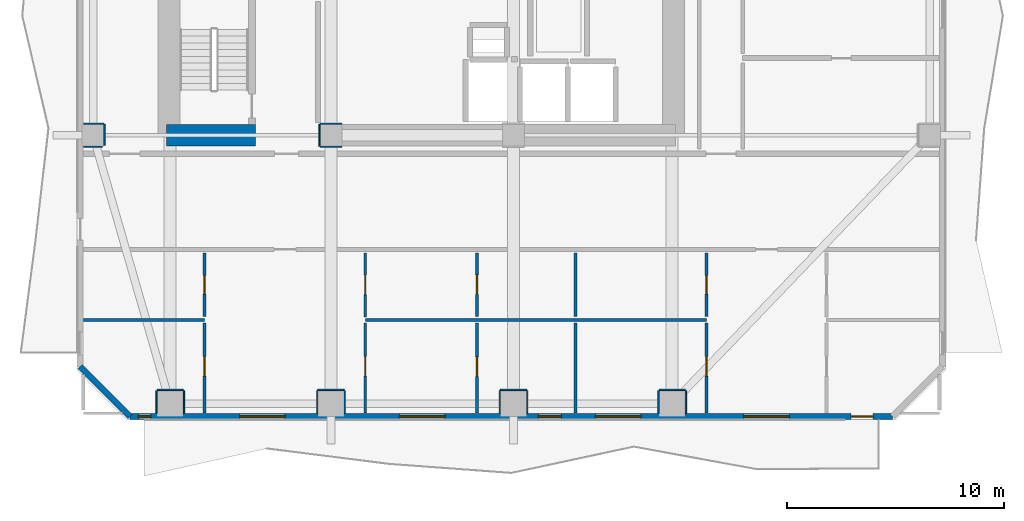
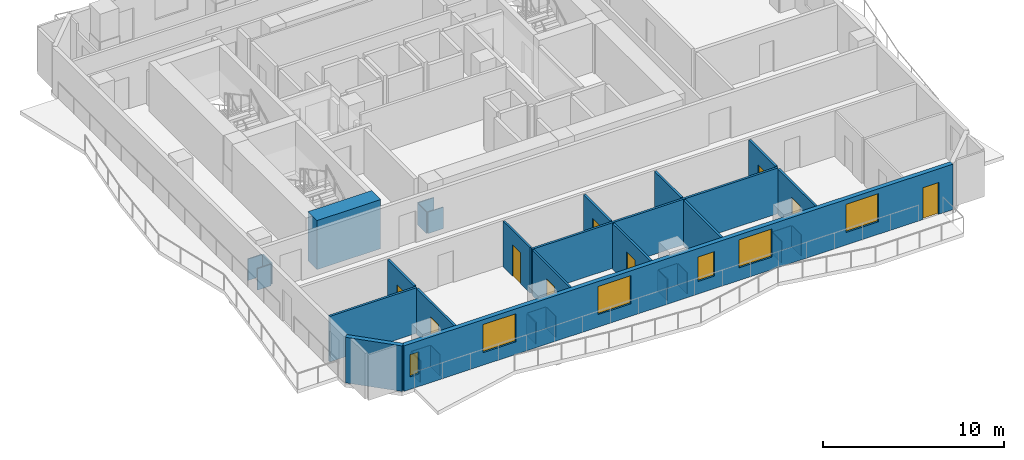
# One storey, part 2 of 9: 33 walls, 9 doors, 6 windows, 15 openings.
"""IFC4 building model written with IfcOpenShell, lengths in metres."""

from ifc_helpers import new_model, si_unit, direction, frame, frame_2d, origin, place, context, subcontext, project, spatial, rectangle, extrude, material, layer, layer_set, type_object, element, fill, save


model = new_model("IFC4")

# Units and contexts
model_context = context("Model", 3, precision=1e-05, world=origin(), true_north=direction((0.0, 1.0)))
body_context = subcontext(model_context, "Body", "Model", "MODEL_VIEW")
ifc_project = project(units=[si_unit("LENGTHUNIT", "METRE"), si_unit("AREAUNIT", "SQUARE_METRE"), si_unit("VOLUMEUNIT", "CUBIC_METRE"), si_unit("PLANEANGLEUNIT", "RADIAN"), si_unit("MASSUNIT", "GRAM", prefix="KILO")], contexts=[model_context])

# Site, building, storey
site_placement = place(None, origin())
site = spatial("IfcSite", under=ifc_project, at=site_placement, CompositionType="ELEMENT")
building_placement = place(site_placement, origin())
building = spatial("IfcBuilding", under=site, at=building_placement, Name="Solanera Arch Residences", CompositionType="ELEMENT")
storey_placement = place(building_placement, frame((0.0, 0.0, 132.639892578125)))
storey = spatial("IfcBuildingStorey", under=building, at=storey_placement, Name="L38", CompositionType="ELEMENT", Elevation=132.639892578125)

# Walls
ifc_material_1 = material(Name="Fire-Rated Gypsum Stud Partition", Category="gypsum")
ifc_layer_1 = layer(ifc_material_1, 0.06005859375)
ifc_layer_set_1 = layer_set([ifc_layer_1], Name="Fire-Rated Gypsum Stud Partition")
wall_type_1 = type_object("IfcWallType", Name="Column Acoustic Furring Wall 60", PredefinedType="PARTITIONING", material=ifc_layer_set_1)
for number, where, z_axis, x_axis, name in (
    (1, (20.300048828125, 21.468017578125, 0.0), (0.0, 0.0, 1.0), (1.0, 0.0, 0.0), "L38 Column Furring 1S"),
    (2, (20.300048828125, 22.531982421875, 0.0), (0.0, 0.0, 1.0), (1.0, 0.0, 0.0), "L38 Column Furring 1N"),
    (3, (20.26806640625, 21.5, 0.0), (0.0, 0.0, 1.0), (0.0, 1.0, 0.0), "L38 Column Furring 1W"),
):
    element("IfcWall", number, at=place(storey_placement, frame(where, z_axis=z_axis, x_axis=x_axis)), inside=storey, type_object=wall_type_1, Name=name, PredefinedType="PARTITIONING", context=body_context, shape_type="SweptSolid", body=[
        extrude(rectangle(XDim=1.0, YDim=0.06005859375, at=frame_2d((0.5, 0.0))), origin(), (0.0, 0.0, 1.0), 1.4501953125),
    ])
wall_1_placement = place(storey_placement, frame((12.800048828125, 10.281982421875, 0.0), z_axis=(0.0, 0.0, 1.0), x_axis=(1.0, 0.0, 0.0)))
element("IfcWall", 4, at=wall_1_placement, inside=storey, type_object=wall_type_1, Name="L38 Column Furring 9N", PredefinedType="PARTITIONING", context=body_context, shape_type="SweptSolid", body=[
    extrude(rectangle(XDim=1.199951171875, YDim=0.06005859375, at=frame_2d((0.60009765625, 0.0))), origin(), (0.0, 0.0, 1.0), 1.4501953125),
])
for number, where, z_axis, x_axis, name in (
    (5, (12.76806640625, 9.2099609375, 0.0), (0.0, 0.0, 1.0), (0.0, 1.0, 0.0), "L38 Column Furring 9W"),
    (6, (14.031982421875, 9.2099609375, 0.0), (0.0, 0.0, 1.0), (0.0, 1.0, 0.0), "L38 Column Furring 9E"),
):
    element("IfcWall", number, at=place(storey_placement, frame(where, z_axis=z_axis, x_axis=x_axis)), inside=storey, type_object=wall_type_1, Name=name, PredefinedType="PARTITIONING", context=body_context, shape_type="SweptSolid", body=[
        extrude(rectangle(XDim=1.0400390625, YDim=0.06005859375, at=frame_2d((0.52001953125, 0.0))), origin(), (0.0, 0.0, 1.0), 1.4501953125),
    ])
wall_2_placement = place(storey_placement, frame((20.199951171875, 10.281982421875, 0.0), z_axis=(0.0, 0.0, 1.0), x_axis=(1.0, 0.0, 0.0)))
element("IfcWall", 7, at=wall_2_placement, inside=storey, type_object=wall_type_1, Name="L38 Column Furring 11N", PredefinedType="PARTITIONING", context=body_context, shape_type="SweptSolid", body=[
    extrude(rectangle(XDim=1.199951171875, YDim=0.06005859375, at=frame_2d((0.60009765625, 0.0))), origin(), (0.0, 0.0, 1.0), 1.4501953125),
])
for number, where, z_axis, x_axis, name in (
    (8, (20.16796875, 9.2099609375, 0.0), (0.0, 0.0, 1.0), (0.0, 1.0, 0.0), "L38 Column Furring 11W"),
    (9, (21.431884765625, 9.2099609375, 0.0), (0.0, 0.0, 1.0), (0.0, 1.0, 0.0), "L38 Column Furring 11E"),
):
    element("IfcWall", number, at=place(storey_placement, frame(where, z_axis=z_axis, x_axis=x_axis)), inside=storey, type_object=wall_type_1, Name=name, PredefinedType="PARTITIONING", context=body_context, shape_type="SweptSolid", body=[
        extrude(rectangle(XDim=1.0400390625, YDim=0.06005859375, at=frame_2d((0.52001953125, 0.0))), origin(), (0.0, 0.0, 1.0), 1.4501953125),
    ])
wall_3_placement = place(storey_placement, frame((28.60009765625, 10.281982421875, 0.0), z_axis=(0.0, 0.0, 1.0), x_axis=(1.0, 0.0, 0.0)))
element("IfcWall", 10, at=wall_3_placement, inside=storey, type_object=wall_type_1, Name="L38 Column Furring 13N", PredefinedType="PARTITIONING", context=body_context, shape_type="SweptSolid", body=[
    extrude(rectangle(XDim=1.199951171875, YDim=0.06005859375, at=frame_2d((0.60009765625, 0.0))), origin(), (0.0, 0.0, 1.0), 1.4501953125),
])
for number, where, z_axis, x_axis, name in (
    (11, (28.568115234375, 9.2099609375, 0.0), (0.0, 0.0, 1.0), (0.0, 1.0, 0.0), "L38 Column Furring 13W"),
    (12, (29.83203125, 9.2099609375, 0.0), (0.0, 0.0, 1.0), (0.0, 1.0, 0.0), "L38 Column Furring 13E"),
):
    element("IfcWall", number, at=place(storey_placement, frame(where, z_axis=z_axis, x_axis=x_axis)), inside=storey, type_object=wall_type_1, Name=name, PredefinedType="PARTITIONING", context=body_context, shape_type="SweptSolid", body=[
        extrude(rectangle(XDim=1.0400390625, YDim=0.06005859375, at=frame_2d((0.52001953125, 0.0))), origin(), (0.0, 0.0, 1.0), 1.4501953125),
    ])
wall_4_placement = place(storey_placement, frame((35.89990234375, 10.281982421875, 0.0), z_axis=(0.0, 0.0, 1.0), x_axis=(1.0, 0.0, 0.0)))
element("IfcWall", 13, at=wall_4_placement, inside=storey, type_object=wall_type_1, Name="L38 Column Furring 15N", PredefinedType="PARTITIONING", context=body_context, shape_type="SweptSolid", body=[
    extrude(rectangle(XDim=1.2001953125, YDim=0.06005859375, at=frame_2d((0.60009765625, 0.0))), origin(), (0.0, 0.0, 1.0), 1.4501953125),
])
for number, where, z_axis, x_axis, name in (
    (14, (35.867919921875, 9.2099609375, 0.0), (0.0, 0.0, 1.0), (0.0, 1.0, 0.0), "L38 Column Furring 15W"),
    (15, (37.132080078125, 9.2099609375, 0.0), (0.0, 0.0, 1.0), (0.0, 1.0, 0.0), "L38 Column Furring 15E"),
):
    element("IfcWall", number, at=place(storey_placement, frame(where, z_axis=z_axis, x_axis=x_axis)), inside=storey, type_object=wall_type_1, Name=name, PredefinedType="PARTITIONING", context=body_context, shape_type="SweptSolid", body=[
        extrude(rectangle(XDim=1.0400390625, YDim=0.06005859375, at=frame_2d((0.52001953125, 0.0))), origin(), (0.0, 0.0, 1.0), 1.4501953125),
    ])
wall_5_placement = place(storey_placement, frame((9.409912109375, 21.468017578125, 0.0), z_axis=(0.0, 0.0, 1.0), x_axis=(1.0, 0.0, 0.0)))
element("IfcWall", 16, at=wall_5_placement, inside=storey, type_object=wall_type_1, Name="L38 Column Furring 17S", PredefinedType="PARTITIONING", context=body_context, shape_type="SweptSolid", body=[
    extrude(rectangle(XDim=0.87109375, YDim=0.06005859375, at=frame_2d((0.435546875, 0.0))), origin(), (0.0, 0.0, 1.0), 1.4501953125),
])
wall_6_placement = place(storey_placement, frame((9.409912109375, 22.531982421875, 0.0), z_axis=(0.0, 0.0, 1.0), x_axis=(1.0, 0.0, 0.0)))
element("IfcWall", 17, at=wall_6_placement, inside=storey, type_object=wall_type_1, Name="L38 Column Furring 17N", PredefinedType="PARTITIONING", context=body_context, shape_type="SweptSolid", body=[
    extrude(rectangle(XDim=0.940185546875, YDim=0.06005859375, at=frame_2d((0.47021484375, 0.0))), origin(), (0.0, 0.0, 1.0), 1.4501953125),
])
wall_7_placement = place(storey_placement, frame((10.382080078125, 21.5439453125, 0.0), z_axis=(0.0, 0.0, 1.0), x_axis=(0.0, 1.0, 0.0)))
element("IfcWall", 18, at=wall_7_placement, inside=storey, type_object=wall_type_1, Name="L38 Column Furring 17E", PredefinedType="PARTITIONING", context=body_context, shape_type="SweptSolid", body=[
    extrude(rectangle(XDim=0.9560546875, YDim=0.06005859375, at=frame_2d((0.47802734375, 0.0))), origin(), (0.0, 0.0, 1.0), 1.4501953125),
])
ifc_material_2 = material(Name="Concrete C55/67 (f'c = 60 MPa)", Category="concrete")
ifc_layer_2 = layer(ifc_material_2, 1.0)
ifc_layer_set_2 = layer_set([ifc_layer_2], Name="Concrete C55/67 (f'c = 60 MPa)")
wall_type_2 = type_object("IfcWallType", Name="Core Shear Wall CW-1000", PredefinedType="SHEAR", material=ifc_layer_set_2)
wall_8_placement = place(storey_placement, frame((13.239990234375, 22.0, 0.0), z_axis=(0.0, 0.0, 1.0), x_axis=(1.0, 0.0, 0.0)))
element("IfcWall", 19, at=wall_8_placement, inside=storey, type_object=wall_type_2, Name="L38 South-West Core Shear Wall", PredefinedType="SHEAR", context=body_context, shape_type="SweptSolid", body=[
    extrude(rectangle(XDim=4.080078125, YDim=1.0, at=frame_2d((2.0400390625, 0.0))), origin(), (0.0, 0.0, 1.0), 3.320068359375),
])

# Wall, openings, door, windows
ifc_material_3 = material(Name="Precast Concrete C35/45", Category="concrete")
ifc_layer_3 = layer(ifc_material_3, 0.280029296875)
ifc_layer_set_3 = layer_set([ifc_layer_3], Name="Precast Concrete C35/45")
wall_type_3 = type_object("IfcWallType", Name="Exterior Wall Precast Masonry-Frame 280", PredefinedType="STANDARD", material=ifc_layer_set_3)
wall_9_placement = place(storey_placement, frame((46.64501953125, 9.054931640625, 0.0), z_axis=(0.0, 0.0, 1.0), x_axis=(-1.0, 0.0, 0.0)))
wall_9 = element("IfcWall", 20, at=wall_9_placement, inside=storey, type_object=wall_type_3, Name="L38 Tower Exterior Precast Masonry-Frame Wall S", PredefinedType="STANDARD", context=body_context, shape_type="SweptSolid", body=[
    extrude(rectangle(XDim=35.090087890625, YDim=0.280029296875, at=frame_2d((17.544921875, 0.0))), origin(), (0.0, 0.0, 1.0), 3.080078125),
])
opening_1_placement = place(wall_9_placement, frame((0.904052734375, 0.0, 0.0)))
opening_1 = element("IfcOpeningElement", 21, at=opening_1_placement, cuts=wall_9, Name="Opening DB-01", PredefinedType="OPENING", context=body_context, shape_type="SweptSolid", body=[
    extrude(rectangle(XDim=1.0, YDim=2.14990234375, at=frame_2d((0.5, 1.074951171875))), frame((0.0, 0.14990234375, 0.0), z_axis=(0.0, -1.0, 0.0), x_axis=(1.0, 0.0, 0.0)), (0.0, 0.0, 1.0), 0.3),
])
opening_2_placement = place(wall_9_placement, frame((27.955078125, 0.0, 0.85009765625)))
opening_2 = element("IfcOpeningElement", 22, at=opening_2_placement, cuts=wall_9, Name="Opening W-04", PredefinedType="OPENING", context=body_context, shape_type="SweptSolid", body=[
    extrude(rectangle(XDim=2.10009765625, YDim=1.89990234375, at=frame_2d((1.050048828125, 0.949951171875))), frame((0.0, 0.14990234375, 0.0), z_axis=(0.0, -1.0, 0.0), x_axis=(1.0, 0.0, 0.0)), (0.0, 0.0, 1.0), 0.3),
])
opening_3_placement = place(wall_9_placement, frame((34.133056640625, 0.0, 0.85009765625)))
opening_3 = element("IfcOpeningElement", 23, at=opening_3_placement, cuts=wall_9, Name="Opening W-14", PredefinedType="OPENING", context=body_context, shape_type="SweptSolid", body=[
    extrude(rectangle(XDim=0.580078125, YDim=1.5, at=frame_2d((0.2900390625, 0.75))), frame((0.0, 0.14990234375, 0.0), z_axis=(0.0, -1.0, 0.0), x_axis=(1.0, 0.0, 0.0)), (0.0, 0.0, 1.0), 0.3),
])
opening_4_placement = place(wall_9_placement, frame((20.594970703125, 0.0, 0.85009765625)))
opening_4 = element("IfcOpeningElement", 24, at=opening_4_placement, cuts=wall_9, Name="Opening W-04", PredefinedType="OPENING", context=body_context, shape_type="SweptSolid", body=[
    extrude(rectangle(XDim=2.10009765625, YDim=1.89990234375, at=frame_2d((1.050048828125, 0.949951171875))), frame((0.0, 0.14990234375, 0.0), z_axis=(0.0, -1.0, 0.0), x_axis=(1.0, 0.0, 0.0)), (0.0, 0.0, 1.0), 0.3),
])
opening_5_placement = place(wall_9_placement, frame((15.248046875, 0.0, 0.85009765625)))
opening_5 = element("IfcOpeningElement", 25, at=opening_5_placement, cuts=wall_9, Name="Opening W-07", PredefinedType="OPENING", context=body_context, shape_type="SweptSolid", body=[
    extrude(rectangle(XDim=1.050048828125, YDim=1.64990234375, at=frame_2d((0.52490234375, 0.824951171875))), frame((0.0, 0.14990234375, 0.0), z_axis=(0.0, -1.0, 0.0), x_axis=(1.0, 0.0, 0.0)), (0.0, 0.0, 1.0), 0.3),
])
opening_6_placement = place(wall_9_placement, frame((4.751953125, 0.0, 0.85009765625)))
opening_6 = element("IfcOpeningElement", 26, at=opening_6_placement, cuts=wall_9, Name="Opening W-04", PredefinedType="OPENING", context=body_context, shape_type="SweptSolid", body=[
    extrude(rectangle(XDim=2.10009765625, YDim=1.89990234375, at=frame_2d((1.050048828125, 0.949951171875))), frame((0.0, 0.14990234375, 0.0), z_axis=(0.0, -1.0, 0.0), x_axis=(1.0, 0.0, 0.0)), (0.0, 0.0, 1.0), 0.3),
])
opening_7_placement = place(wall_9_placement, frame((11.572998046875, 0.0, 0.85009765625)))
opening_7 = element("IfcOpeningElement", 27, at=opening_7_placement, cuts=wall_9, Name="Opening W-04", PredefinedType="OPENING", context=body_context, shape_type="SweptSolid", body=[
    extrude(rectangle(XDim=2.10009765625, YDim=1.89990234375, at=frame_2d((1.050048828125, 0.949951171875))), frame((0.0, 0.14990234375, 0.0), z_axis=(0.0, -1.0, 0.0), x_axis=(1.0, 0.0, 0.0)), (0.0, 0.0, 1.0), 0.3),
])
ifc_material_4 = material(Name="Anodised Aluminium Alloy 6063-T6", Category="aluminium")
door_type_1 = type_object("IfcDoorType", Name="Glazed Balcony Swing Door DB-01", OperationType="NOTDEFINED", PredefinedType="DOOR", material=ifc_material_4)
door_1_placement = place(opening_1_placement, origin())
door_1 = element("IfcDoor", 28, at=door_1_placement, inside=storey, type_object=door_type_1, Name="DR-L38-OUT-01", OperationType="SINGLE_SWING_RIGHT", OverallHeight=2.14990234375, OverallWidth=1.0, PredefinedType="DOOR", context=body_context, shape_type="SweptSolid", body=[
    extrude(rectangle(XDim=1.0, YDim=2.14990234375, at=frame_2d((0.5, 1.074951171875))), frame((0.0, 0.02490234375, 0.0), z_axis=(0.0, -1.0, 0.0), x_axis=(1.0, 0.0, 0.0)), (0.0, 0.0, 1.0), 0.050048828125),
])
fill(opening_1, door_1)
ifc_material_5 = material(Name="Double Glazed Low-E Laminated Glass", Category="glass")
window_type_1 = type_object("IfcWindowType", Name="Punched Window W-04", PartitioningType="DOUBLE_PANEL_VERTICAL", PredefinedType="WINDOW", material=ifc_material_5)
window_1_placement = place(opening_2_placement, origin())
window_1 = element("IfcWindow", 29, at=window_1_placement, inside=storey, type_object=window_type_1, Name="L38 3801-LIV Punched Window", OverallHeight=1.89990234375, OverallWidth=2.10009765625, PartitioningType="SINGLE_PANEL", PredefinedType="WINDOW", context=body_context, shape_type="SweptSolid", body=[
    extrude(rectangle(XDim=2.10009765625, YDim=1.89990234375, at=frame_2d((1.050048828125, 0.949951171875))), frame((0.0, 0.030029296875, 0.0), z_axis=(0.0, -1.0, 0.0), x_axis=(1.0, 0.0, 0.0)), (0.0, 0.0, 1.0), 0.06005859375),
])
fill(opening_2, window_1)
window_2_placement = place(opening_4_placement, origin())
window_2 = element("IfcWindow", 30, at=window_2_placement, inside=storey, type_object=window_type_1, Name="L38 3801-BR2 Punched Window", OverallHeight=1.89990234375, OverallWidth=2.10009765625, PartitioningType="SINGLE_PANEL", PredefinedType="WINDOW", context=body_context, shape_type="SweptSolid", body=[
    extrude(rectangle(XDim=2.10009765625, YDim=1.89990234375, at=frame_2d((1.050048828125, 0.949951171875))), frame((0.0, 0.030029296875, 0.0), z_axis=(0.0, -1.0, 0.0), x_axis=(1.0, 0.0, 0.0)), (0.0, 0.0, 1.0), 0.06005859375),
])
fill(opening_4, window_2)
window_3_placement = place(opening_6_placement, origin())
window_3 = element("IfcWindow", 31, at=window_3_placement, inside=storey, type_object=window_type_1, Name="L38 3802-LIV Punched Window", OverallHeight=1.89990234375, OverallWidth=2.10009765625, PartitioningType="SINGLE_PANEL", PredefinedType="WINDOW", context=body_context, shape_type="SweptSolid", body=[
    extrude(rectangle(XDim=2.10009765625, YDim=1.89990234375, at=frame_2d((1.050048828125, 0.949951171875))), frame((0.0, 0.030029296875, 0.0), z_axis=(0.0, -1.0, 0.0), x_axis=(1.0, 0.0, 0.0)), (0.0, 0.0, 1.0), 0.06005859375),
])
fill(opening_6, window_3)
window_4_placement = place(opening_7_placement, origin())
window_4 = element("IfcWindow", 32, at=window_4_placement, inside=storey, type_object=window_type_1, Name="L38 3802-BR1 Punched Window", OverallHeight=1.89990234375, OverallWidth=2.10009765625, PartitioningType="SINGLE_PANEL", PredefinedType="WINDOW", context=body_context, shape_type="SweptSolid", body=[
    extrude(rectangle(XDim=2.10009765625, YDim=1.89990234375, at=frame_2d((1.050048828125, 0.949951171875))), frame((0.0, 0.030029296875, 0.0), z_axis=(0.0, -1.0, 0.0), x_axis=(1.0, 0.0, 0.0)), (0.0, 0.0, 1.0), 0.06005859375),
])
fill(opening_7, window_4)
ifc_material_6 = material(Name="Double Glazed Low-E Laminated Glass", Category="glass")
window_type_2 = type_object("IfcWindowType", Name="Punched Window W-07", PartitioningType="SINGLE_PANEL", PredefinedType="WINDOW", material=ifc_material_6)
window_5_placement = place(opening_5_placement, origin())
window_5 = element("IfcWindow", 33, at=window_5_placement, inside=storey, type_object=window_type_2, Name="L38 3801-BR3 Punched Window", OverallHeight=1.64990234375, OverallWidth=1.050048828125, PartitioningType="SINGLE_PANEL", PredefinedType="WINDOW", context=body_context, shape_type="SweptSolid", body=[
    extrude(rectangle(XDim=1.050048828125, YDim=1.64990234375, at=frame_2d((0.52490234375, 0.824951171875))), frame((0.0, 0.030029296875, 0.0), z_axis=(0.0, -1.0, 0.0), x_axis=(1.0, 0.0, 0.0)), (0.0, 0.0, 1.0), 0.06005859375),
])
fill(opening_5, window_5)
ifc_material_7 = material(Name="Double Glazed Low-E Laminated Glass", Category="glass")
window_type_3 = type_object("IfcWindowType", Name="Punched Window W-14", PartitioningType="SINGLE_PANEL", PredefinedType="WINDOW", material=ifc_material_7)
window_6_placement = place(opening_3_placement, origin())
window_6 = element("IfcWindow", 34, at=window_6_placement, inside=storey, type_object=window_type_3, Name="L38 3801-BR1 Punched Window", OverallHeight=1.5, OverallWidth=0.580078125, PartitioningType="SINGLE_PANEL", PredefinedType="WINDOW", context=body_context, shape_type="SweptSolid", body=[
    extrude(rectangle(XDim=0.580078125, YDim=1.5, at=frame_2d((0.2900390625, 0.75))), frame((0.0, 0.030029296875, 0.0), z_axis=(0.0, -1.0, 0.0), x_axis=(1.0, 0.0, 0.0)), (0.0, 0.0, 1.0), 0.06005859375),
])
fill(opening_3, window_6)

# Wall
wall_10_placement = place(storey_placement, frame((11.554931640625, 9.054931640625, 0.0), z_axis=(0.0, 0.0, 1.0), x_axis=(-0.707106781187, 0.707106781187, 0.0)))
element("IfcWall", 35, at=wall_10_placement, inside=storey, type_object=wall_type_3, Name="L38 Tower Exterior Precast Masonry-Frame Wall CH7", PredefinedType="STANDARD", context=body_context, shape_type="SweptSolid", body=[
    extrude(rectangle(XDim=3.252685546875, YDim=0.280029296875, at=frame_2d((1.62646484375, 0.0))), origin(), (0.0, 0.0, 1.0), 3.080078125),
])

# Wall, opening, door
ifc_material_8 = material(Name="Fire-Rated Gypsum Stud Partition", Category="gypsum")
ifc_layer_4 = layer(ifc_material_8, 0.1201171875)
ifc_layer_set_4 = layer_set([ifc_layer_4], Name="Fire-Rated Gypsum Stud Partition")
wall_type_4 = type_object("IfcWallType", Name="Unit Drywall Partition 120", PredefinedType="PARTITIONING", material=ifc_layer_set_4)
wall_11_placement = place(storey_placement, frame((22.3798828125, 9.20703125, 0.0), z_axis=(0.0, 0.0, 1.0), x_axis=(0.0, 1.0, 0.0)))
wall_11 = element("IfcWall", 36, at=wall_11_placement, inside=storey, type_object=wall_type_4, Name="L38 Interior Partition V21 1", PredefinedType="PARTITIONING", context=body_context, shape_type="SweptSolid", body=[
    extrude(rectangle(XDim=4.158935546875, YDim=0.1201171875, at=frame_2d((2.07958984375, 0.0))), origin(), (0.0, 0.0, 1.0), 3.080078125),
])
opening_8_placement = place(wall_11_placement, frame((1.7080078125, 0.0, 0.0)))
opening_8 = element("IfcOpeningElement", 37, at=opening_8_placement, cuts=wall_11, Name="Opening DI-03", PredefinedType="OPENING", context=body_context, shape_type="SweptSolid", body=[
    extrude(rectangle(XDim=0.89990234375, YDim=2.10009765625, at=frame_2d((0.449951171875, 1.050048828125))), frame((0.0, 0.070068359375, 0.0), z_axis=(0.0, -1.0, 0.0), x_axis=(1.0, 0.0, 0.0)), (0.0, 0.0, 1.0), 0.1401),
])
ifc_material_9 = material(Name="Fire-Rated Architectural Hardwood", Category="wood")
door_type_2 = type_object("IfcDoorType", Name="Bedroom Swing Door DI-03", OperationType="NOTDEFINED", PredefinedType="DOOR", material=ifc_material_9)
door_2_placement = place(opening_8_placement, origin())
door_2 = element("IfcDoor", 38, at=door_2_placement, inside=storey, type_object=door_type_2, Name="DR-L38-IN-022", OperationType="SINGLE_SWING_LEFT", OverallHeight=2.10009765625, OverallWidth=0.89990234375, PredefinedType="DOOR", context=body_context, shape_type="SweptSolid", body=[
    extrude(rectangle(XDim=0.89990234375, YDim=2.10009765625, at=frame_2d((0.449951171875, 1.050048828125))), frame((0.0, 0.02490234375, 0.0), z_axis=(0.0, -1.0, 0.0), x_axis=(1.0, 0.0, 0.0)), (0.0, 0.0, 1.0), 0.050048828125),
])
fill(opening_8, door_2)

wall_12_placement = place(storey_placement, frame((22.3798828125, 13.64208984375, 0.0), z_axis=(0.0, 0.0, 1.0), x_axis=(0.0, 1.0, 0.0)))
wall_12 = element("IfcWall", 39, at=wall_12_placement, inside=storey, type_object=wall_type_4, Name="L38 Interior Partition V21 2", PredefinedType="PARTITIONING", context=body_context, shape_type="SweptSolid", body=[
    extrude(rectangle(XDim=2.949951171875, YDim=0.1201171875, at=frame_2d((1.47509765625, 0.0))), origin(), (0.0, 0.0, 1.0), 3.080078125),
])
opening_9_placement = place(wall_12_placement, frame((1.02197265625, 0.0, 0.0)))
opening_9 = element("IfcOpeningElement", 40, at=opening_9_placement, cuts=wall_12, Name="Opening DI-02", PredefinedType="OPENING", context=body_context, shape_type="SweptSolid", body=[
    extrude(rectangle(XDim=0.89990234375, YDim=2.10009765625, at=frame_2d((0.449951171875, 1.050048828125))), frame((0.0, 0.070068359375, 0.0), z_axis=(0.0, -1.0, 0.0), x_axis=(1.0, 0.0, 0.0)), (0.0, 0.0, 1.0), 0.1401),
])
ifc_material_10 = material(Name="Fire-Rated Architectural Hardwood", Category="wood")
door_type_3 = type_object("IfcDoorType", Name="Suite Room Swing Door DI-02", OperationType="NOTDEFINED", PredefinedType="DOOR", material=ifc_material_10)
door_3_placement = place(opening_9_placement, origin())
door_3 = element("IfcDoor", 41, at=door_3_placement, inside=storey, type_object=door_type_3, Name="DR-L38-IN-020", OperationType="SINGLE_SWING_LEFT", OverallHeight=2.10009765625, OverallWidth=0.89990234375, PredefinedType="DOOR", context=body_context, shape_type="SweptSolid", body=[
    extrude(rectangle(XDim=0.89990234375, YDim=2.10009765625, at=frame_2d((0.449951171875, 1.050048828125))), frame((0.0, 0.02490234375, 0.0), z_axis=(0.0, -1.0, 0.0), x_axis=(1.0, 0.0, 0.0)), (0.0, 0.0, 1.0), 0.050048828125),
])
fill(opening_9, door_3)

# Walls
ifc_material_11 = material(Name="Autoclaved Aerated Concrete Blockwork", Category="masonry")
ifc_layer_5 = layer(ifc_material_11, 0.139892578125)
ifc_layer_set_5 = layer_set([ifc_layer_5], Name="Autoclaved Aerated Concrete Blockwork")
wall_type_5 = type_object("IfcWallType", Name="Wet-Room Partition 140", PredefinedType="PARTITIONING", material=ifc_layer_set_5)
wall_13_placement = place(storey_placement, frame((9.406982421875, 13.50390625, 0.0), z_axis=(0.0, 0.0, 1.0), x_axis=(1.0, 0.0, 0.0)))
element("IfcWall", 42, at=wall_13_placement, inside=storey, type_object=wall_type_5, Name="L38 Interior Partition H14", PredefinedType="PARTITIONING", context=body_context, shape_type="SweptSolid", body=[
    extrude(rectangle(XDim=5.572998046875, YDim=0.139892578125, at=frame_2d((2.78662109375, 0.0))), origin(), (0.0, 0.0, 1.0), 3.080078125),
])
wall_14_placement = place(storey_placement, frame((22.3798828125, 13.50390625, 0.0), z_axis=(0.0, 0.0, 1.0), x_axis=(1.0, 0.0, 0.0)))
element("IfcWall", 43, at=wall_14_placement, inside=storey, type_object=wall_type_5, Name="L38 Interior Partition H15", PredefinedType="PARTITIONING", context=body_context, shape_type="SweptSolid", body=[
    extrude(rectangle(XDim=15.7001953125, YDim=0.139892578125, at=frame_2d((7.85009765625, 0.0))), origin(), (0.0, 0.0, 1.0), 3.080078125),
])

# Wall, opening, door
wall_15_placement = place(storey_placement, frame((14.97998046875, 9.20703125, 0.0), z_axis=(0.0, 0.0, 1.0), x_axis=(0.0, 1.0, 0.0)))
wall_15 = element("IfcWall", 44, at=wall_15_placement, inside=storey, type_object=wall_type_5, Name="L38 Interior Partition V14 1", PredefinedType="PARTITIONING", context=body_context, shape_type="SweptSolid", body=[
    extrude(rectangle(XDim=4.14892578125, YDim=0.139892578125, at=frame_2d((2.074462890625, 0.0))), origin(), (0.0, 0.0, 1.0), 3.080078125),
])
opening_10_placement = place(wall_15_placement, frame((1.7080078125, 0.0, 0.0)))
opening_10 = element("IfcOpeningElement", 45, at=opening_10_placement, cuts=wall_15, Name="Opening DI-03", PredefinedType="OPENING", context=body_context, shape_type="SweptSolid", body=[
    extrude(rectangle(XDim=0.89990234375, YDim=2.10009765625, at=frame_2d((0.449951171875, 1.050048828125))), frame((0.0, 0.079833984375, 0.0), z_axis=(0.0, -1.0, 0.0), x_axis=(1.0, 0.0, 0.0)), (0.0, 0.0, 1.0), 0.1599),
])
door_4_placement = place(opening_10_placement, origin())
door_4 = element("IfcDoor", 46, at=door_4_placement, inside=storey, type_object=door_type_2, Name="DR-L38-IN-019", OperationType="SINGLE_SWING_RIGHT", OverallHeight=2.10009765625, OverallWidth=0.89990234375, PredefinedType="DOOR", context=body_context, shape_type="SweptSolid", body=[
    extrude(rectangle(XDim=0.89990234375, YDim=2.10009765625, at=frame_2d((0.449951171875, 1.050048828125))), frame((0.0, 0.02490234375, 0.0), z_axis=(0.0, -1.0, 0.0), x_axis=(1.0, 0.0, 0.0)), (0.0, 0.0, 1.0), 0.050048828125),
])
fill(opening_10, door_4)

wall_16_placement = place(storey_placement, frame((14.97998046875, 13.652099609375, 0.0), z_axis=(0.0, 0.0, 1.0), x_axis=(0.0, 1.0, 0.0)))
wall_16 = element("IfcWall", 47, at=wall_16_placement, inside=storey, type_object=wall_type_5, Name="L38 Interior Partition V14 2", PredefinedType="PARTITIONING", context=body_context, shape_type="SweptSolid", body=[
    extrude(rectangle(XDim=2.929931640625, YDim=0.139892578125, at=frame_2d((1.46484375, 0.0))), origin(), (0.0, 0.0, 1.0), 3.080078125),
])
opening_11_placement = place(wall_16_placement, frame((1.031982421875, 0.0, 0.0)))
opening_11 = element("IfcOpeningElement", 48, at=opening_11_placement, cuts=wall_16, Name="Opening DI-05", PredefinedType="OPENING", context=body_context, shape_type="SweptSolid", body=[
    extrude(rectangle(XDim=0.860107421875, YDim=2.02001953125, at=frame_2d((0.43017578125, 1.010009765625))), frame((0.0, 0.079833984375, 0.0), z_axis=(0.0, -1.0, 0.0), x_axis=(1.0, 0.0, 0.0)), (0.0, 0.0, 1.0), 0.1599),
])
ifc_material_12 = material(Name="Fire-Rated Architectural Hardwood", Category="wood")
door_type_4 = type_object("IfcDoorType", Name="Bathroom Swing Door DI-05", OperationType="NOTDEFINED", PredefinedType="DOOR", material=ifc_material_12)
door_5_placement = place(opening_11_placement, origin())
door_5 = element("IfcDoor", 49, at=door_5_placement, inside=storey, type_object=door_type_4, Name="DR-L38-IN-018", OperationType="SINGLE_SWING_LEFT", OverallHeight=2.02001953125, OverallWidth=0.860107421875, PredefinedType="DOOR", context=body_context, shape_type="SweptSolid", body=[
    extrude(rectangle(XDim=0.860107421875, YDim=2.02001953125, at=frame_2d((0.43017578125, 1.010009765625))), frame((0.0, 0.02490234375, 0.0), z_axis=(0.0, -1.0, 0.0), x_axis=(1.0, 0.0, 0.0)), (0.0, 0.0, 1.0), 0.050048828125),
])
fill(opening_11, door_5)

wall_17_placement = place(storey_placement, frame((27.52001953125, 9.20703125, 0.0), z_axis=(0.0, 0.0, 1.0), x_axis=(0.0, 1.0, 0.0)))
wall_17 = element("IfcWall", 50, at=wall_17_placement, inside=storey, type_object=wall_type_5, Name="L38 Interior Partition V15 1", PredefinedType="PARTITIONING", context=body_context, shape_type="SweptSolid", body=[
    extrude(rectangle(XDim=4.14892578125, YDim=0.139892578125, at=frame_2d((2.074462890625, 0.0))), origin(), (0.0, 0.0, 1.0), 3.080078125),
])
opening_12_placement = place(wall_17_placement, frame((1.695068359375, 0.0, 0.0)))
opening_12 = element("IfcOpeningElement", 51, at=opening_12_placement, cuts=wall_17, Name="Opening DI-03", PredefinedType="OPENING", context=body_context, shape_type="SweptSolid", body=[
    extrude(rectangle(XDim=0.89990234375, YDim=2.10009765625, at=frame_2d((0.449951171875, 1.050048828125))), frame((0.0, 0.079833984375, 0.0), z_axis=(0.0, -1.0, 0.0), x_axis=(1.0, 0.0, 0.0)), (0.0, 0.0, 1.0), 0.1599),
])
door_6_placement = place(opening_12_placement, origin())
door_6 = element("IfcDoor", 52, at=door_6_placement, inside=storey, type_object=door_type_2, Name="DR-L38-IN-023", OperationType="SINGLE_SWING_RIGHT", OverallHeight=2.10009765625, OverallWidth=0.89990234375, PredefinedType="DOOR", context=body_context, shape_type="SweptSolid", body=[
    extrude(rectangle(XDim=0.89990234375, YDim=2.10009765625, at=frame_2d((0.449951171875, 1.050048828125))), frame((0.0, 0.02490234375, 0.0), z_axis=(0.0, -1.0, 0.0), x_axis=(1.0, 0.0, 0.0)), (0.0, 0.0, 1.0), 0.050048828125),
])
fill(opening_12, door_6)

wall_18_placement = place(storey_placement, frame((27.52001953125, 13.652099609375, 0.0), z_axis=(0.0, 0.0, 1.0), x_axis=(0.0, 1.0, 0.0)))
wall_18 = element("IfcWall", 53, at=wall_18_placement, inside=storey, type_object=wall_type_5, Name="L38 Interior Partition V15 2", PredefinedType="PARTITIONING", context=body_context, shape_type="SweptSolid", body=[
    extrude(rectangle(XDim=2.929931640625, YDim=0.139892578125, at=frame_2d((1.46484375, 0.0))), origin(), (0.0, 0.0, 1.0), 3.080078125),
])
opening_13_placement = place(wall_18_placement, frame((1.02490234375, 0.0, 0.0)))
opening_13 = element("IfcOpeningElement", 54, at=opening_13_placement, cuts=wall_18, Name="Opening DI-02", PredefinedType="OPENING", context=body_context, shape_type="SweptSolid", body=[
    extrude(rectangle(XDim=0.89990234375, YDim=2.10009765625, at=frame_2d((0.449951171875, 1.050048828125))), frame((0.0, 0.079833984375, 0.0), z_axis=(0.0, -1.0, 0.0), x_axis=(1.0, 0.0, 0.0)), (0.0, 0.0, 1.0), 0.1599),
])
door_7_placement = place(opening_13_placement, origin())
door_7 = element("IfcDoor", 55, at=door_7_placement, inside=storey, type_object=door_type_3, Name="DR-L38-IN-021", OperationType="SINGLE_SWING_RIGHT", OverallHeight=2.10009765625, OverallWidth=0.89990234375, PredefinedType="DOOR", context=body_context, shape_type="SweptSolid", body=[
    extrude(rectangle(XDim=0.89990234375, YDim=2.10009765625, at=frame_2d((0.449951171875, 1.050048828125))), frame((0.0, 0.02490234375, 0.0), z_axis=(0.0, -1.0, 0.0), x_axis=(1.0, 0.0, 0.0)), (0.0, 0.0, 1.0), 0.050048828125),
])
fill(opening_13, door_7)

# Walls
wall_19_placement = place(storey_placement, frame((32.0439453125, 9.20703125, 0.0), z_axis=(0.0, 0.0, 1.0), x_axis=(0.0, 1.0, 0.0)))
element("IfcWall", 56, at=wall_19_placement, inside=storey, type_object=wall_type_5, Name="L38 Interior Partition V18 1", PredefinedType="PARTITIONING", context=body_context, shape_type="SweptSolid", body=[
    extrude(rectangle(XDim=4.14892578125, YDim=0.139892578125, at=frame_2d((2.074462890625, 0.0))), origin(), (0.0, 0.0, 1.0), 3.080078125),
])
wall_20_placement = place(storey_placement, frame((32.0439453125, 13.652099609375, 0.0), z_axis=(0.0, 0.0, 1.0), x_axis=(0.0, 1.0, 0.0)))
element("IfcWall", 57, at=wall_20_placement, inside=storey, type_object=wall_type_5, Name="L38 Interior Partition V18 2", PredefinedType="PARTITIONING", context=body_context, shape_type="SweptSolid", body=[
    extrude(rectangle(XDim=2.929931640625, YDim=0.139892578125, at=frame_2d((1.46484375, 0.0))), origin(), (0.0, 0.0, 1.0), 3.080078125),
])

# Wall, opening, door
wall_21_placement = place(storey_placement, frame((38.080078125, 9.20703125, 0.0), z_axis=(0.0, 0.0, 1.0), x_axis=(0.0, 1.0, 0.0)))
wall_21 = element("IfcWall", 58, at=wall_21_placement, inside=storey, type_object=wall_type_5, Name="L38 Interior Partition V19 1", PredefinedType="PARTITIONING", context=body_context, shape_type="SweptSolid", body=[
    extrude(rectangle(XDim=4.14892578125, YDim=0.139892578125, at=frame_2d((2.074462890625, 0.0))), origin(), (0.0, 0.0, 1.0), 3.080078125),
])
opening_14_placement = place(wall_21_placement, frame((1.7080078125, 0.0, 0.0)))
opening_14 = element("IfcOpeningElement", 59, at=opening_14_placement, cuts=wall_21, Name="Opening DI-03", PredefinedType="OPENING", context=body_context, shape_type="SweptSolid", body=[
    extrude(rectangle(XDim=0.89990234375, YDim=2.10009765625, at=frame_2d((0.449951171875, 1.050048828125))), frame((0.0, 0.079833984375, 0.0), z_axis=(0.0, -1.0, 0.0), x_axis=(1.0, 0.0, 0.0)), (0.0, 0.0, 1.0), 0.1599),
])
door_8_placement = place(opening_14_placement, origin())
door_8 = element("IfcDoor", 60, at=door_8_placement, inside=storey, type_object=door_type_2, Name="DR-L38-IN-026", OperationType="SINGLE_SWING_LEFT", OverallHeight=2.10009765625, OverallWidth=0.89990234375, PredefinedType="DOOR", context=body_context, shape_type="SweptSolid", body=[
    extrude(rectangle(XDim=0.89990234375, YDim=2.10009765625, at=frame_2d((0.449951171875, 1.050048828125))), frame((0.0, 0.02490234375, 0.0), z_axis=(0.0, -1.0, 0.0), x_axis=(1.0, 0.0, 0.0)), (0.0, 0.0, 1.0), 0.050048828125),
])
fill(opening_14, door_8)

wall_22_placement = place(storey_placement, frame((38.080078125, 13.652099609375, 0.0), z_axis=(0.0, 0.0, 1.0), x_axis=(0.0, 1.0, 0.0)))
wall_22 = element("IfcWall", 61, at=wall_22_placement, inside=storey, type_object=wall_type_5, Name="L38 Interior Partition V19 2", PredefinedType="PARTITIONING", context=body_context, shape_type="SweptSolid", body=[
    extrude(rectangle(XDim=2.929931640625, YDim=0.139892578125, at=frame_2d((1.46484375, 0.0))), origin(), (0.0, 0.0, 1.0), 3.080078125),
])
opening_15_placement = place(wall_22_placement, frame((1.031982421875, 0.0, 0.0)))
opening_15 = element("IfcOpeningElement", 62, at=opening_15_placement, cuts=wall_22, Name="Opening DI-05", PredefinedType="OPENING", context=body_context, shape_type="SweptSolid", body=[
    extrude(rectangle(XDim=0.860107421875, YDim=2.02001953125, at=frame_2d((0.43017578125, 1.010009765625))), frame((0.0, 0.079833984375, 0.0), z_axis=(0.0, -1.0, 0.0), x_axis=(1.0, 0.0, 0.0)), (0.0, 0.0, 1.0), 0.1599),
])
door_9_placement = place(opening_15_placement, origin())
door_9 = element("IfcDoor", 63, at=door_9_placement, inside=storey, type_object=door_type_4, Name="DR-L38-IN-025", OperationType="SINGLE_SWING_RIGHT", OverallHeight=2.02001953125, OverallWidth=0.860107421875, PredefinedType="DOOR", context=body_context, shape_type="SweptSolid", body=[
    extrude(rectangle(XDim=0.860107421875, YDim=2.02001953125, at=frame_2d((0.43017578125, 1.010009765625))), frame((0.0, 0.02490234375, 0.0), z_axis=(0.0, -1.0, 0.0), x_axis=(1.0, 0.0, 0.0)), (0.0, 0.0, 1.0), 0.050048828125),
])
fill(opening_15, door_9)

save(model, "model.ifc")
